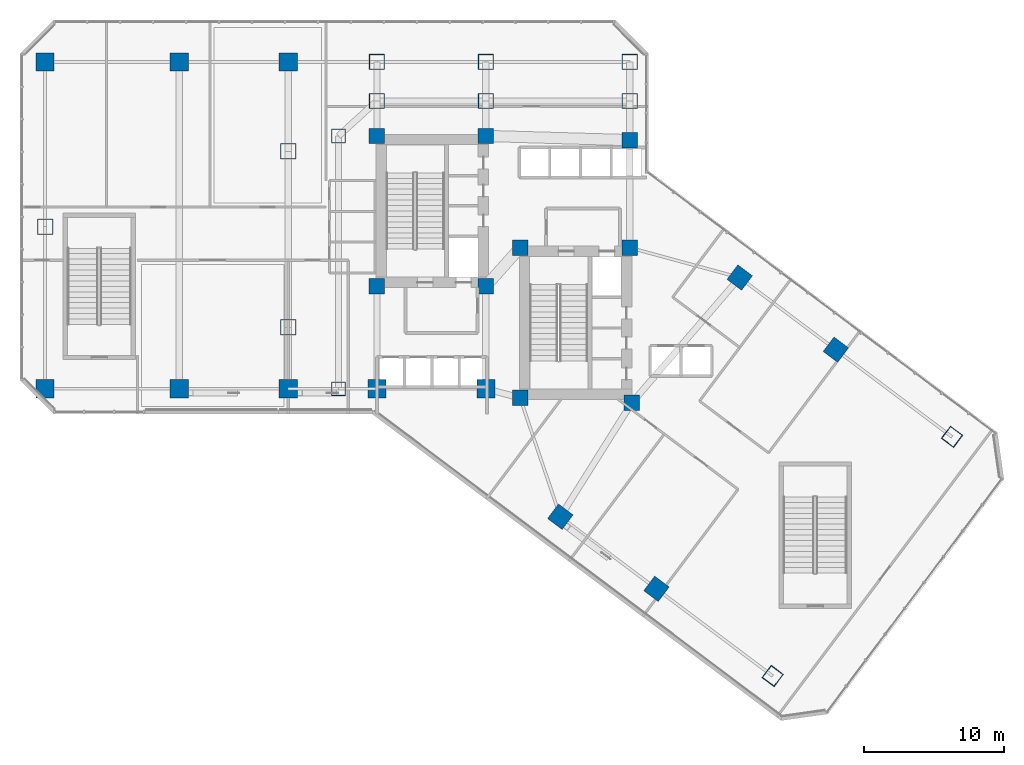
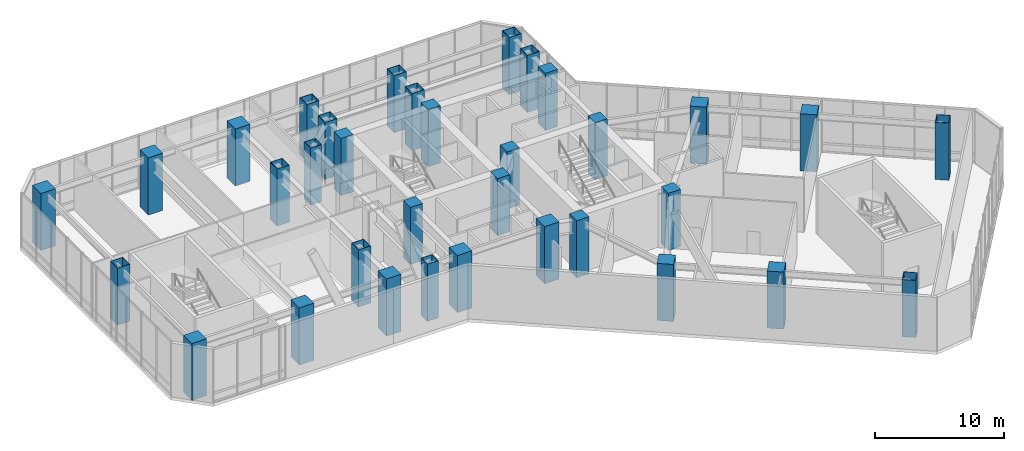
# One storey, part 1 of 35: 34 columns.
"""IFC4 building model written with IfcOpenShell, lengths in metres."""

import ifcopenshell
import ifcopenshell.guid

model = None  # the IFC model being written
_history = None  # IfcOwnerHistory: only IFC2X3 demands one
_inside = {}  # id of a spatial element -> (the spatial element, [elements in it])
_under = {}  # id of a project, library or spatial element -> (it, [spatial elements below it])
_declared = {}  # id of a project -> (the project, [libraries it declares])
_typed = {}  # id of a type object -> (the type object, [elements of that type])
_made_of = {}  # id of a material, layer set ... -> (it, [elements and type objects made of it])


def new_model(schema):
    """Start an empty IFC model of exactly this schema.

    Asked for "IFC4X3", IfcOpenShell would pick the latest addendum, in which some entities
    have other attributes; the version numbers below select the first issue.
    IFC2X3 requires an IfcOwnerHistory on every rooted entity: one is made here for all.
    """
    global model, _history
    if schema == "IFC4X3":
        model = ifcopenshell.file(schema_version=(4, 3, 0, 0))
    else:
        model = ifcopenshell.file(schema=schema)
    _inside.clear()
    _under.clear()
    _declared.clear()
    _typed.clear()
    _made_of.clear()
    _history = None
    if model.schema == "IFC2X3":
        org = make("IfcOrganization", Name="unknown")
        user = make(
            "IfcPersonAndOrganization",
            ThePerson=make("IfcPerson", FamilyName="unknown"),
            TheOrganization=org,
        )
        app = make(
            "IfcApplication",
            ApplicationDeveloper=org,
            Version="unknown",
            ApplicationFullName="unknown",
            ApplicationIdentifier="unknown",
        )
        _history = make(
            "IfcOwnerHistory",
            OwningUser=user,
            OwningApplication=app,
            ChangeAction="ADDED",
            CreationDate=0,
        )
    return model


def make(cls, **values):
    """One entity of the class cls with the attributes given. An attribute that is None is left unset."""
    return model.create_entity(
        cls, **{name: value for name, value in values.items() if value is not None}
    )


def rooted(cls, **values):
    """An entity with a GlobalId (a new one), such as an element, a storey or a relation."""
    return make(cls, GlobalId=ifcopenshell.guid.new(), OwnerHistory=_history, **values)


def si_unit(unit_type, name, prefix=None):
    """IfcSIUnit, for example si_unit("LENGTHUNIT", "METRE", prefix="MILLI")."""
    return make("IfcSIUnit", UnitType=unit_type, Prefix=prefix, Name=name)


def assignment(units):
    """IfcUnitAssignment: the units of a project."""
    return None if units is None else make("IfcUnitAssignment", Units=units)


def point(xyz):
    """IfcCartesianPoint."""
    return None if xyz is None else make("IfcCartesianPoint", Coordinates=xyz)


def direction(xyz):
    """IfcDirection."""
    return None if xyz is None else make("IfcDirection", DirectionRatios=xyz)


def frame(location, z_axis=None, x_axis=None):
    """IfcAxis2Placement3D, a coordinate frame: its origin and axes. An axis left out is left unset."""
    return make(
        "IfcAxis2Placement3D",
        Location=point(location),
        Axis=direction(z_axis),
        RefDirection=direction(x_axis),
    )


def frame_2d(location, x_axis=None):
    """IfcAxis2Placement2D, a coordinate frame in the plane: its origin and x axis."""
    return make(
        "IfcAxis2Placement2D", Location=point(location), RefDirection=direction(x_axis)
    )


def origin():
    """The frame at (0, 0, 0) with its axes left unset."""
    return frame((0.0, 0.0, 0.0))


def origin_2d():
    """The frame at (0, 0) in the plane with its x axis left unset."""
    return frame_2d((0.0, 0.0))


def place(relative_to, where):
    """IfcLocalPlacement: puts the frame where relative to a parent placement (None: the world)."""
    return make(
        "IfcLocalPlacement", PlacementRelTo=relative_to, RelativePlacement=where
    )


def context(
    kind, dimensions, precision=None, world=None, true_north=None, identifier=None
):
    """IfcGeometricRepresentationContext, for example the 3D "Model" context."""
    return make(
        "IfcGeometricRepresentationContext",
        ContextIdentifier=identifier,
        ContextType=kind,
        CoordinateSpaceDimension=dimensions,
        Precision=precision,
        WorldCoordinateSystem=world,
        TrueNorth=true_north,
    )


def subcontext(parent, identifier, kind, view, scale=None):
    """IfcGeometricRepresentationSubContext, for example "Body" below "Model"."""
    return make(
        "IfcGeometricRepresentationSubContext",
        ContextIdentifier=identifier,
        ContextType=kind,
        ParentContext=parent,
        TargetScale=scale,
        TargetView=view,
    )


def project(units=None, contexts=None):
    """IfcProject with its units and contexts."""
    return rooted(
        "IfcProject",
        Name="project",
        RepresentationContexts=contexts,
        UnitsInContext=assignment(units),
    )


def spatial(cls, under=None, at=None, **own):
    """A site, building, storey or space (cls), placed at a placement, below another one or the project."""
    s = rooted(cls, ObjectPlacement=at, **own)
    if under is not None:
        _under.setdefault(under.id(), (under, []))[1].append(s)
    return s


def profile(cls, at=None, kind="AREA", **sizes):
    """A parametric profile (cls). Its sizes go by their IFC names, for example OverallWidth=200.0."""
    return make(cls, ProfileType=kind, Position=at, **sizes)


def rectangle(**sizes):
    """IfcRectangleProfileDef."""
    return profile("IfcRectangleProfileDef", **sizes)


def hollow_rectangle(**sizes):
    """IfcRectangleHollowProfileDef."""
    return profile("IfcRectangleHollowProfileDef", **sizes)


def extrude(swept, where, along, depth):
    """IfcExtrudedAreaSolid: the profile swept, set in the frame where, extruded along a direction by depth."""
    return make(
        "IfcExtrudedAreaSolid",
        SweptArea=swept,
        Position=where,
        ExtrudedDirection=direction(along),
        Depth=depth,
    )


def shape(context_of_items, identifier, shape_type, items):
    """IfcShapeRepresentation: the items that make up one representation, for example the "Body"."""
    return make(
        "IfcShapeRepresentation",
        ContextOfItems=context_of_items,
        RepresentationIdentifier=identifier,
        RepresentationType=shape_type,
        Items=items,
    )


def material(Name=None, Category=None):
    """IfcMaterial."""
    return make("IfcMaterial", Name=Name, Category=Category)


def material_profile(
    of_material, cross_section, Name=None, Category=None, Priority=None
):
    """IfcMaterialProfile: a cross section and its material."""
    return make(
        "IfcMaterialProfile",
        Name=Name,
        Material=of_material,
        Profile=cross_section,
        Priority=Priority,
        Category=Category,
    )


def profile_set(profiles, Name=None, composite=None):
    """IfcMaterialProfileSet."""
    return make(
        "IfcMaterialProfileSet",
        Name=Name,
        MaterialProfiles=profiles,
        CompositeProfile=composite,
    )


def made_of(thing, what):
    """Note that an element or type object is made of a material, layer set ...; save() writes the relation."""
    if what is not None:
        _made_of.setdefault(what.id(), (what, []))[1].append(thing)
    return thing


def type_object(cls, material=None, **own):
    """A type object (cls), such as IfcWallType, which elements share."""
    return made_of(rooted(cls, **own), material)


def element(
    cls,
    number,
    at=None,
    inside=None,
    cuts=None,
    type_object=None,
    material=None,
    context=None,
    identifier="Body",
    shape_type=None,
    held_by="IfcProductDefinitionShape",
    body=None,
    shapes=None,
    **own,
):
    """One element of the class cls, such as IfcWall. Its Tag is "e" and its number.

    at: its placement. inside: the storey or other place that contains it. cuts: it is an
    opening in that element (IfcRelVoidsElement). A single representation is given by context,
    identifier, shape_type and body (its items); several are given by shapes. held_by: the class
    of the entity that holds the representations. save() writes the other relations.
    """
    e = rooted(cls, Tag="e%d" % number, ObjectPlacement=at, **own)
    if body is not None:
        shapes = [shape(context, identifier, shape_type, body)]
    if shapes is not None:
        e.Representation = make(held_by, Representations=shapes)
    if inside is not None:
        _inside.setdefault(inside.id(), (inside, []))[1].append(e)
    if cuts is not None:
        rooted(
            "IfcRelVoidsElement", RelatingBuildingElement=cuts, RelatedOpeningElement=e
        )
    if type_object is not None:
        _typed.setdefault(type_object.id(), (type_object, []))[1].append(e)
    return made_of(e, material)


def aggregate(whole, parts):
    """IfcRelAggregates: a whole, such as a stair, and the parts it consists of."""
    return rooted("IfcRelAggregates", RelatingObject=whole, RelatedObjects=parts)


def save(model, path):
    """Write the relations noted so far, then the file.

    IfcRelAggregates (storeys below a building ...), IfcRelContainedInSpatialStructure (elements
    in a storey), IfcRelDefinesByType, IfcRelAssociatesMaterial and IfcRelDeclares: one each for
    every whole, place, type object, material and project.
    """
    for whole, parts in _under.values():
        aggregate(whole, parts)
    for where, things in _inside.values():
        rooted(
            "IfcRelContainedInSpatialStructure",
            RelatedElements=things,
            RelatingStructure=where,
        )
    for kind, things in _typed.values():
        rooted("IfcRelDefinesByType", RelatedObjects=things, RelatingType=kind)
    for what, things in _made_of.values():
        rooted("IfcRelAssociatesMaterial", RelatedObjects=things, RelatingMaterial=what)
    for by, libraries in _declared.values():
        rooted("IfcRelDeclares", RelatingContext=by, RelatedDefinitions=libraries)
    model.write(path)


model = new_model("IFC4")

# Units and contexts
model_context = context("Model", 3, precision=1e-05, world=origin(), true_north=direction((0.0, 1.0)))
body_context = subcontext(model_context, "Body", "Model", "MODEL_VIEW")
ifc_project = project(units=[si_unit("LENGTHUNIT", "METRE"), si_unit("AREAUNIT", "SQUARE_METRE"), si_unit("VOLUMEUNIT", "CUBIC_METRE"), si_unit("PLANEANGLEUNIT", "RADIAN"), si_unit("MASSUNIT", "GRAM", prefix="KILO")], contexts=[model_context])

# Site, building, storey
site_placement = place(None, origin())
site = spatial("IfcSite", under=ifc_project, at=site_placement, CompositionType="ELEMENT")
building_placement = place(site_placement, origin())
building = spatial("IfcBuilding", under=site, at=building_placement, Name="Hatsunagi Terrace Concourse", CompositionType="ELEMENT")
storey_placement = place(building_placement, frame((0.0, 0.0, 10.800048828125)))
storey = spatial("IfcBuildingStorey", under=building, at=storey_placement, Name="L03", CompositionType="ELEMENT", Elevation=10.800048828125)

# Columns
ifc_material_1 = material(Name="Concrete Fc60", Category="concrete")
ifc_material_profile_1 = material_profile(ifc_material_1, rectangle(XDim=1.10009765625, YDim=1.10009765625, at=origin_2d()), Name="RC-1100x1100")
ifc_profile_set_1 = profile_set([ifc_material_profile_1], Name="Concrete Fc60")
column_type_1 = type_object("IfcColumnType", Name="CoreColumn_RC_1100x1100", PredefinedType="COLUMN", material=ifc_profile_set_1)
for number, where, z_axis, x_axis, name in (
    (1, (25.550048828125, 32.550048828125, 0.0), (0.0, 0.0, 1.0), (1.0, 0.0, 0.0), "Column C-01 L03-CASW"),
    (2, (33.35009765625, 32.550048828125, 0.0), (0.0, 0.0, 1.0), (1.0, 0.0, 0.0), "Column C-01 L03-CASE"),
    (3, (25.550048828125, 43.300048828125, 0.0), (0.0, 0.0, 1.0), (1.0, 0.0, 0.0), "Column C-01 L03-CANW"),
    (4, (33.35009765625, 43.300048828125, 0.0), (0.0, 0.0, 1.0), (1.0, 0.0, 0.0), "Column C-01 L03-CANE"),
    (5, (35.800048828125, 24.550048828125, 0.0), (0.0, 0.0, 1.0), (1.0, 0.0, 0.0), "Column C-01 L03-CBSW"),
    (6, (43.800048828125, 24.199951171875, 0.0), (0.0, 0.0, 1.0), (1.0, 0.0, 0.0), "Column C-01 L03-CBSE"),
    (7, (35.800048828125, 35.300048828125, 0.0), (0.0, 0.0, 1.0), (1.0, 0.0, 0.0), "Column C-01 L03-CBNW"),
    (8, (43.64990234375, 35.300048828125, 0.0), (0.0, 0.0, 1.0), (1.0, 0.0, 0.0), "Column C-01 L03-CBNE"),
    (9, (43.64990234375, 43.0, 0.0), (0.0, 0.0, 1.0), (1.0, 0.0, 0.0), "Column C-01 L03-K3"),
):
    element("IfcColumn", number, at=place(storey_placement, frame(where, z_axis=z_axis, x_axis=x_axis)), inside=storey, type_object=column_type_1, Name=name, PredefinedType="COLUMN", context=body_context, shape_type="SweptSolid", body=[
        extrude(rectangle(XDim=1.10009765625, YDim=1.10009765625, at=origin_2d()), origin(), (0.0, 0.0, 1.0), 5.39990234375),
    ])
ifc_material_2 = material(Name="Steel BCP325T", Category="steel")
ifc_material_profile_2 = material_profile(ifc_material_2, hollow_rectangle(XDim=1.10009765625, YDim=1.10009765625, WallThickness=0.0400390625, at=origin_2d()), Name="BCP-1100x1100x40")
ifc_profile_set_2 = profile_set([ifc_material_profile_2], Name="Steel BCP325T")
column_type_2 = type_object("IfcColumnType", Name="MegaColumn_BCP_1100x1100x40", PredefinedType="COLUMN", material=ifc_profile_set_2)
for number, where, z_axis, x_axis, name in (
    (10, (25.550048828125, 45.800048828125, 0.0), (0.0, 0.0, 1.0), (1.0, 0.0, 0.0), "Mega column MC-02 L03-CN1"),
    (11, (33.35009765625, 45.800048828125, 0.0), (0.0, 0.0, 1.0), (1.0, 0.0, 0.0), "Mega column MC-02 L03-CN2"),
    (12, (43.64990234375, 45.800048828125, 0.0), (0.0, 0.0, 1.0), (1.0, 0.0, 0.0), "Mega column MC-02 L03-CN3"),
    (13, (1.800048828125, 36.800048828125, 0.0), (0.0, 0.0, 1.0), (1.0, 0.0, 0.0), "Mega column MC-02 L03-WM0"),
    (14, (25.550048828125, 48.60009765625, 0.0), (0.0, 0.0, 1.0), (1.0, 0.0, 0.0), "Mega column MC-02 L03-WN4"),
    (15, (33.35009765625, 48.60009765625, 0.0), (0.0, 0.0, 1.0), (1.0, 0.0, 0.0), "Mega column MC-02 L03-WN5"),
    (16, (43.64990234375, 48.60009765625, 0.0), (0.0, 0.0, 1.0), (1.0, 0.0, 0.0), "Mega column MC-02 L03-WN6"),
    (17, (19.199951171875, 29.60009765625, 0.0), (0.0, 0.0, 1.0), (1.0, 0.0, 0.0), "Mega column MC-02 L03-WR1"),
    (18, (19.199951171875, 42.199951171875, 0.0), (0.0, 0.0, 1.0), (1.0, 0.0, 0.0), "Mega column MC-02 L03-WR2"),
    (19, (53.8798828125, 4.639892578125, 0.0), (0.0, 0.0, 1.0), (0.799999996291, -0.600000004945, 0.0), "Mega column MC-02 L03-SES3"),
    (20, (66.719970703125, 21.760009765625, 0.0), (0.0, 0.0, 1.0), (0.799999996291, -0.600000004945, 0.0), "Mega column MC-02 L03-SEN3"),
):
    element("IfcColumn", number, at=place(storey_placement, frame(where, z_axis=z_axis, x_axis=x_axis)), inside=storey, type_object=column_type_2, Name=name, PredefinedType="COLUMN", context=body_context, shape_type="SweptSolid", body=[
        extrude(hollow_rectangle(XDim=1.10009765625, YDim=1.10009765625, WallThickness=0.0400390625, at=origin_2d()), origin(), (0.0, 0.0, 1.0), 5.39990234375),
    ])
ifc_material_3 = material(Name="Concrete Fc60", Category="concrete")
ifc_material_profile_3 = material_profile(ifc_material_3, rectangle(XDim=1.300048828125, YDim=1.300048828125, at=origin_2d()), Name="RC-1300x1300")
ifc_profile_set_3 = profile_set([ifc_material_profile_3], Name="Concrete Fc60")
column_type_3 = type_object("IfcColumnType", Name="MegaColumn_RC_1300x1300", PredefinedType="COLUMN", material=ifc_profile_set_3)
for number, where, z_axis, x_axis, name in (
    (21, (25.550048828125, 25.199951171875, 0.0), (0.0, 0.0, 1.0), (1.0, 0.0, 0.0), "Mega column MC-01 L03-K1"),
    (22, (33.35009765625, 25.199951171875, 0.0), (0.0, 0.0, 1.0), (1.0, 0.0, 0.0), "Mega column MC-01 L03-K2"),
    (23, (1.800048828125, 25.199951171875, 0.0), (0.0, 0.0, 1.0), (1.0, 0.0, 0.0), "Mega column MC-01 L03-WS1"),
    (24, (1.800048828125, 48.60009765625, 0.0), (0.0, 0.0, 1.0), (1.0, 0.0, 0.0), "Mega column MC-01 L03-WN1"),
    (25, (11.39990234375, 25.199951171875, 0.0), (0.0, 0.0, 1.0), (1.0, 0.0, 0.0), "Mega column MC-01 L03-WS2"),
    (26, (11.39990234375, 48.60009765625, 0.0), (0.0, 0.0, 1.0), (1.0, 0.0, 0.0), "Mega column MC-01 L03-WN2"),
    (27, (19.199951171875, 48.60009765625, 0.0), (0.0, 0.0, 1.0), (1.0, 0.0, 0.0), "Mega column MC-01 L03-WN3"),
    (28, (19.199951171875, 25.199951171875, 0.0), (0.0, 0.0, 1.0), (1.0, 0.0, 0.0), "Mega column MC-01 L03-WS3"),
    (29, (38.679931640625, 16.0400390625, 0.0), (0.0, 0.0, 1.0), (0.799999996291, -0.600000004945, 0.0), "Mega column MC-01 L03-SES1"),
    (30, (51.52001953125, 33.159912109375, 0.0), (0.0, 0.0, 1.0), (0.799999996291, -0.600000004945, 0.0), "Mega column MC-01 L03-SEN1"),
    (31, (45.56005859375, 10.8798828125, 0.0), (0.0, 0.0, 1.0), (0.799999996291, -0.600000004945, 0.0), "Mega column MC-01 L03-SES2"),
    (32, (58.39990234375, 28.0, 0.0), (0.0, 0.0, 1.0), (0.799999996291, -0.600000004945, 0.0), "Mega column MC-01 L03-SEN2"),
):
    element("IfcColumn", number, at=place(storey_placement, frame(where, z_axis=z_axis, x_axis=x_axis)), inside=storey, type_object=column_type_3, Name=name, PredefinedType="COLUMN", context=body_context, shape_type="SweptSolid", body=[
        extrude(rectangle(XDim=1.300048828125, YDim=1.300048828125, at=origin_2d()), origin(), (0.0, 0.0, 1.0), 5.39990234375),
    ])
ifc_material_4 = material(Name="Steel BCP325T", Category="steel")
ifc_material_profile_4 = material_profile(ifc_material_4, hollow_rectangle(XDim=1.0, YDim=1.0, WallThickness=0.0380859375, at=origin_2d()), Name="BCP-1000x1000x38")
ifc_profile_set_4 = profile_set([ifc_material_profile_4], Name="Steel BCP325T")
column_type_4 = type_object("IfcColumnType", Name="TowerBoxColumn_1000x1000x38", PredefinedType="COLUMN", material=ifc_profile_set_4)
for number, where, z_axis, x_axis, name in (
    (33, (22.800048828125, 25.199951171875, 0.0), (0.0, 0.0, 1.0), (1.0, 0.0, 0.0), "Column C-03 L03-CW1"),
    (34, (22.800048828125, 43.300048828125, 0.0), (0.0, 0.0, 1.0), (1.0, 0.0, 0.0), "Column C-03 L03-CW2"),
):
    element("IfcColumn", number, at=place(storey_placement, frame(where, z_axis=z_axis, x_axis=x_axis)), inside=storey, type_object=column_type_4, Name=name, PredefinedType="COLUMN", context=body_context, shape_type="SweptSolid", body=[
        extrude(hollow_rectangle(XDim=1.0, YDim=1.0, WallThickness=0.0380859375, at=origin_2d()), origin(), (0.0, 0.0, 1.0), 5.39990234375),
    ])

save(model, "model.ifc")
